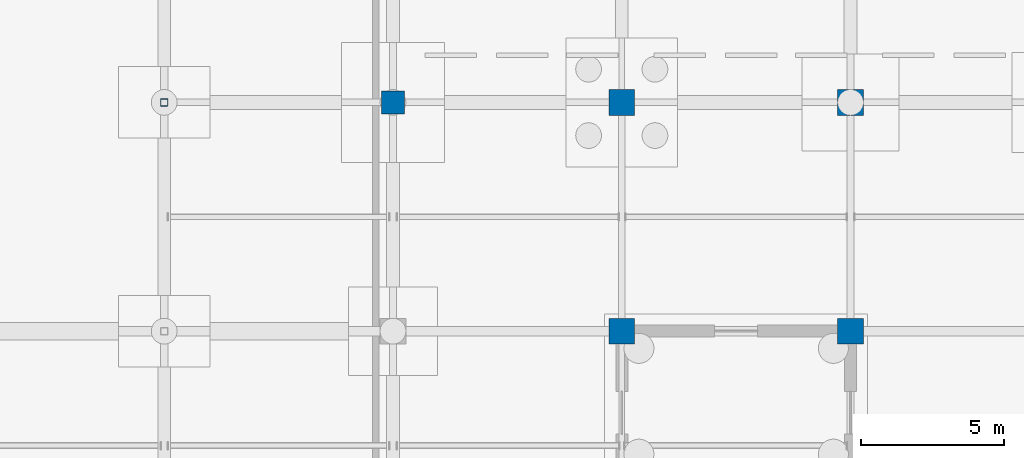
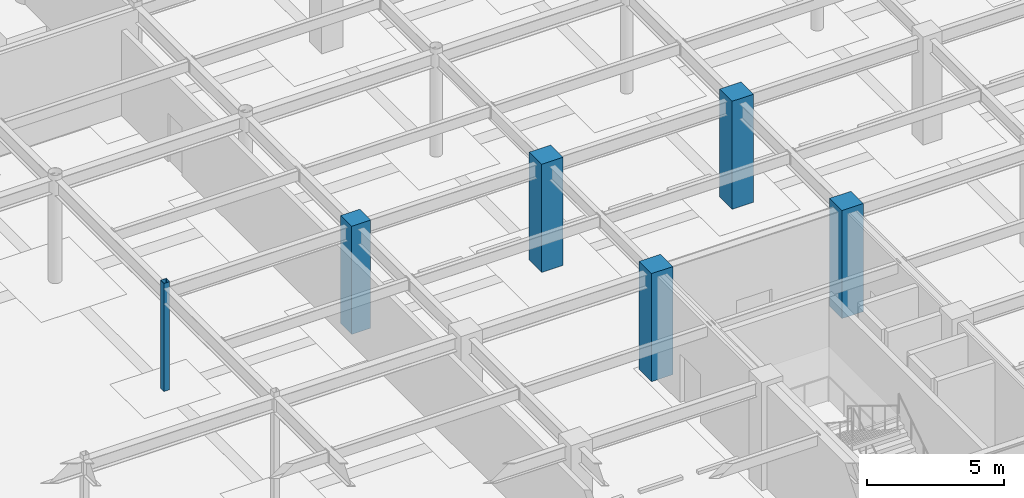
# One storey, part 19 of 105: 6 columns.
"""IFC4 building model written with IfcOpenShell, lengths in metres."""

from ifc_helpers import new_model, si_unit, direction, frame, origin, origin_2d, place, context, subcontext, project, spatial, rectangle, hollow_rectangle, extrude, material, material_profile, profile_set, type_object, element, save


model = new_model("IFC4")

# Units and contexts
model_context = context("Model", 3, precision=1e-05, world=origin(), true_north=direction((0.0, 1.0)))
body_context = subcontext(model_context, "Body", "Model", "MODEL_VIEW")
ifc_project = project(units=[si_unit("LENGTHUNIT", "METRE"), si_unit("AREAUNIT", "SQUARE_METRE"), si_unit("VOLUMEUNIT", "CUBIC_METRE"), si_unit("PLANEANGLEUNIT", "RADIAN"), si_unit("MASSUNIT", "GRAM", prefix="KILO")], contexts=[model_context])

# Site, building, storey
site_placement = place(None, origin())
site = spatial("IfcSite", under=ifc_project, at=site_placement, CompositionType="ELEMENT")
building_placement = place(site_placement, origin())
building = spatial("IfcBuilding", under=site, at=building_placement, Name="Solmirada Galleria", CompositionType="ELEMENT")
storey_placement = place(building_placement, frame((0.0, 0.0, -4.800048828125)))
storey = spatial("IfcBuildingStorey", under=building, at=storey_placement, Name="B1", CompositionType="ELEMENT", Elevation=-4.800048828125)

# Columns
ifc_material_1 = material(Name="Steel S355 / ASTM A500 Grade C", Category="steel")
ifc_material_profile_1 = material_profile(ifc_material_1, hollow_rectangle(XDim=0.25390625, YDim=0.25390625, WallThickness=0.0087890625, InnerFilletRadius=0.0087890625, OuterFilletRadius=0.017822265625, at=origin_2d()), Name="HSS10X10X3/8")
ifc_profile_set_1 = profile_set([ifc_material_profile_1], Name="Steel S355 / ASTM A500 Grade C")
column_type_1 = type_object("IfcColumnType", Name="COL-HSS10", PredefinedType="COLUMN", material=ifc_profile_set_1)
column_1_placement = place(storey_placement, frame((72.0, 24.0, 0.0), z_axis=(0.0, 0.0, 1.0), x_axis=(1.0, 0.0, 0.0)))
element("IfcColumn", 1, at=column_1_placement, inside=storey, type_object=column_type_1, Name="Structural column B1-0287", PredefinedType="COLUMN", context=body_context, shape_type="SweptSolid", body=[
    extrude(hollow_rectangle(XDim=0.25390625, YDim=0.25390625, WallThickness=0.0087890625, InnerFilletRadius=0.0087890625, OuterFilletRadius=0.017822265625, at=origin_2d()), origin(), (0.0, 0.0, 1.0), 4.800048828125),
])
ifc_material_2 = material(Name="Concrete C40/50", Category="concrete")
ifc_material_profile_2 = material_profile(ifc_material_2, rectangle(XDim=0.800048828125, YDim=0.800048828125, at=origin_2d()), Name="RC800X800")
ifc_profile_set_2 = profile_set([ifc_material_profile_2], Name="Concrete C40/50")
column_type_2 = type_object("IfcColumnType", Name="COL-RC800", PredefinedType="COLUMN", material=ifc_profile_set_2)
column_2_placement = place(storey_placement, frame((80.0, 24.0, 0.0), z_axis=(0.0, 0.0, 1.0), x_axis=(1.0, 0.0, 0.0)))
element("IfcColumn", 2, at=column_2_placement, inside=storey, type_object=column_type_2, Name="Structural column B1-0369", PredefinedType="COLUMN", context=body_context, shape_type="SweptSolid", body=[
    extrude(rectangle(XDim=0.800048828125, YDim=0.800048828125, at=origin_2d()), origin(), (0.0, 0.0, 1.0), 4.800048828125),
])
ifc_material_profile_3 = material_profile(ifc_material_2, rectangle(XDim=0.89990234375, YDim=0.89990234375, at=origin_2d()), Name="RC900X900")
ifc_profile_set_3 = profile_set([ifc_material_profile_3], Name="Concrete C40/50")
column_type_3 = type_object("IfcColumnType", Name="COL-RC900", PredefinedType="COLUMN", material=ifc_profile_set_3)
for number, where, z_axis, x_axis, name in (
    (3, (88.0, 16.0, 0.0), (0.0, 0.0, 1.0), (1.0, 0.0, 0.0), "Structural column B1-0478"),
    (4, (88.0, 24.0, 0.0), (0.0, 0.0, 1.0), (1.0, 0.0, 0.0), "Structural column B1-0486"),
    (5, (96.0, 16.0, 0.0), (0.0, 0.0, 1.0), (1.0, 0.0, 0.0), "Structural column B1-0600"),
    (6, (96.0, 24.0, 0.0), (0.0, 0.0, 1.0), (1.0, 0.0, 0.0), "Structural column B1-0608"),
):
    element("IfcColumn", number, at=place(storey_placement, frame(where, z_axis=z_axis, x_axis=x_axis)), inside=storey, type_object=column_type_3, Name=name, PredefinedType="COLUMN", context=body_context, shape_type="SweptSolid", body=[
        extrude(rectangle(XDim=0.89990234375, YDim=0.89990234375, at=origin_2d()), origin(), (0.0, 0.0, 1.0), 4.800048828125),
    ])

save(model, "model.ifc")
